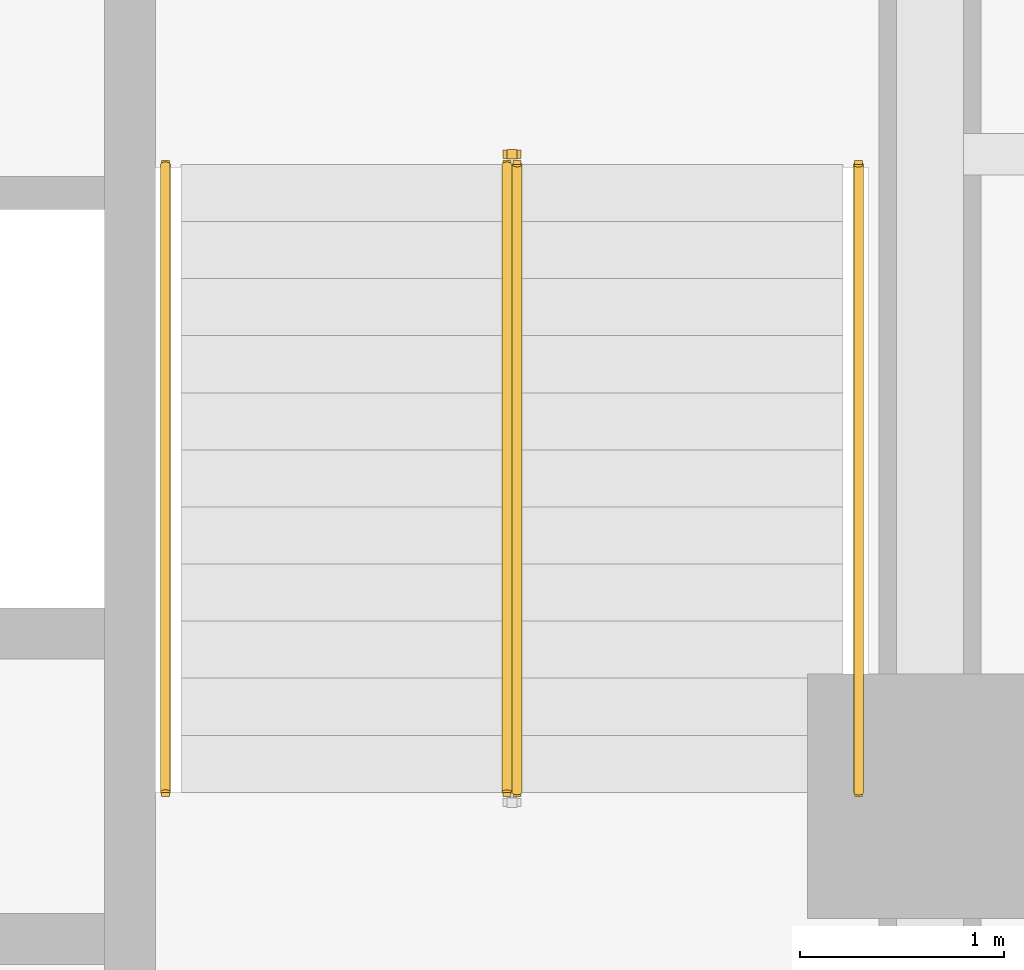
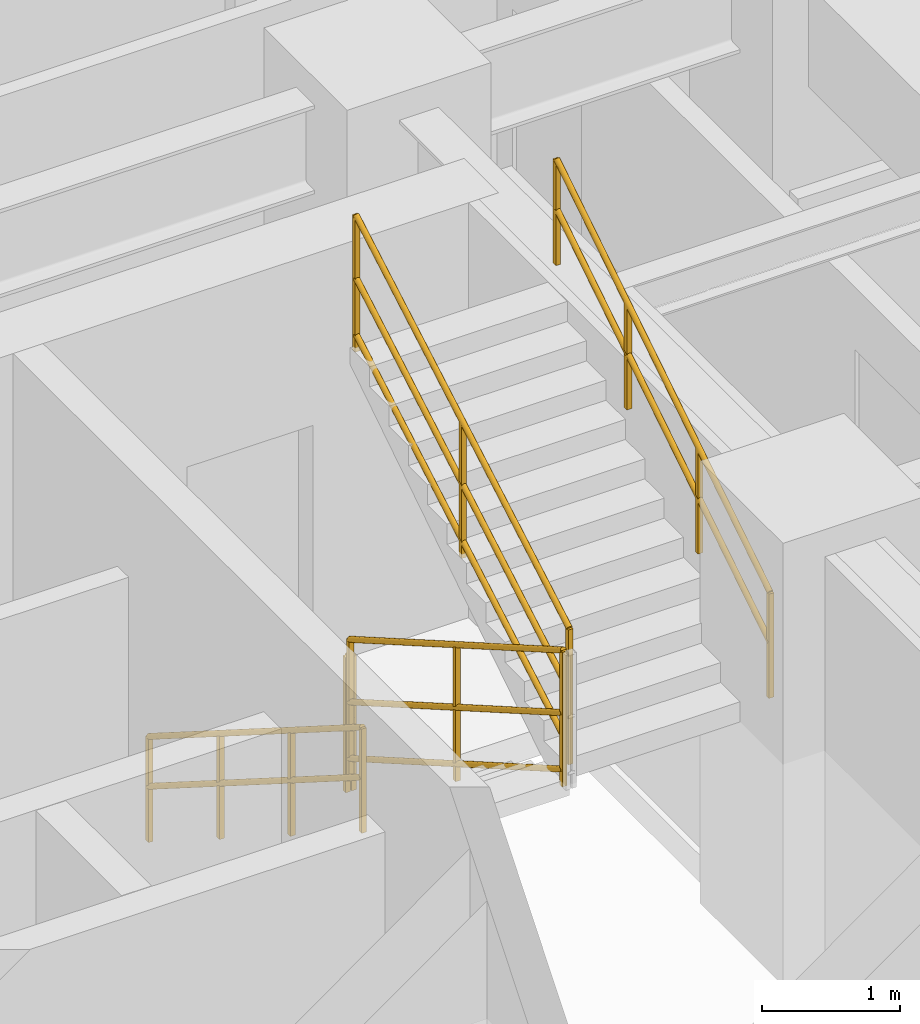
# One storey, part 7 of 8: 5 railings.
"""IFC4 building model written with IfcOpenShell, lengths in metres."""

from ifc_helpers import new_model, entity, si_unit, converted_unit, direction, frame, origin_with_axes, origin_2d_with_axis, place, context, subcontext, project, spatial, rectangle, circle, extrude, material, type_object, element, save


model = new_model("IFC4")

# Units and contexts
model_context = context("Model", 3, precision=1e-05, world=origin_with_axes(), true_north=direction((0.0, 1.0)))
body_context = subcontext(model_context, "Body", "Model", "MODEL_VIEW")
ifc_project = project(units=[si_unit("LENGTHUNIT", "METRE"), si_unit("AREAUNIT", "SQUARE_METRE"), si_unit("VOLUMEUNIT", "CUBIC_METRE"), converted_unit("PLANEANGLEUNIT", "DEGREE", entity("IfcPlaneAngleMeasure", 0.017453292519943295), si_unit("PLANEANGLEUNIT", "RADIAN"), dimensions=[0, 0, 0, 0, 0, 0, 0]), si_unit("MASSUNIT", "GRAM", prefix="KILO"), si_unit("THERMODYNAMICTEMPERATUREUNIT", "KELVIN")], contexts=[model_context])

# Site, building, storey
site_placement = place(None, origin_with_axes())
site = spatial("IfcSite", under=ifc_project, at=site_placement, CompositionType="ELEMENT")
building_placement = place(site_placement, origin_with_axes())
building = spatial("IfcBuilding", under=site, at=building_placement, Name="Varnlund Millrace Tower", CompositionType="ELEMENT")
storey_placement = place(building_placement, frame((0.0, 0.0, 116.4), z_axis=(0.0, 0.0, 1.0), x_axis=(1.0, 0.0, 0.0)))
storey = spatial("IfcBuildingStorey", under=building, at=storey_placement, Name="L28", CompositionType="ELEMENT", Elevation=116.4)

# Railings
ifc_material_1 = material(Name="Painted steel stair well balustrade guard", Category="steel")
railing_type_1 = type_object("IfcRailingType", Name="Type-StairGuard-1150", PredefinedType="GUARDRAIL", material=ifc_material_1)
railing_1_placement = place(storey_placement, frame((0.0, 0.0, -116.4), z_axis=(0.0, 0.0, 1.0), x_axis=(1.0, 0.0, 0.0)))
element("IfcRailing", 1, at=railing_1_placement, inside=storey, type_object=railing_type_1, Name="Type-StairGuard-1150", PredefinedType="GUARDRAIL", context=body_context, shape_type="SweptSolid", body=[
    extrude(circle(Radius=0.024, at=origin_2d_with_axis()), frame((45.975, 21.1, 117.727273), z_axis=(0.0, -0.866696, 0.498836), x_axis=(1.0, 0.0, 0.0)), (0.0, 0.0, 1.0), 3.553725),
    extrude(circle(Radius=0.024, at=origin_2d_with_axis()), frame((45.975, 21.1, 116.677273), z_axis=(0.0, -0.866696, 0.498836), x_axis=(1.0, 0.0, 0.0)), (0.0, 0.0, 1.0), 3.553725),
    extrude(circle(Radius=0.024, at=origin_2d_with_axis()), frame((45.975, 21.1, 117.175273), z_axis=(0.0, -0.866696, 0.498836), x_axis=(1.0, 0.0, 0.0)), (0.0, 0.0, 1.0), 3.553725),
    extrude(rectangle(XDim=0.04, YDim=0.04, at=origin_2d_with_axis()), frame((45.975, 21.1, 116.537273), z_axis=(0.0, 0.0, 1.0), x_axis=(1.0, 0.0, 0.0)), (0.0, 0.0, 1.0), 1.19),
    extrude(rectangle(XDim=0.04, YDim=0.04, at=origin_2d_with_axis()), frame((45.975, 19.56, 117.423636), z_axis=(0.0, 0.0, 1.0), x_axis=(1.0, 0.0, 0.0)), (0.0, 0.0, 1.0), 1.19),
    extrude(rectangle(XDim=0.04, YDim=0.04, at=origin_2d_with_axis()), frame((45.975, 18.02, 118.31), z_axis=(0.0, 0.0, 1.0), x_axis=(1.0, 0.0, 0.0)), (0.0, 0.0, 1.0), 1.19),
])
railing_2_placement = place(storey_placement, frame((0.0, 0.0, -116.4), z_axis=(0.0, 0.0, 1.0), x_axis=(1.0, 0.0, 0.0)))
element("IfcRailing", 2, at=railing_2_placement, inside=storey, type_object=railing_type_1, Name="Type-StairGuard-1150", PredefinedType="GUARDRAIL", context=body_context, shape_type="SweptSolid", body=[
    extrude(circle(Radius=0.024, at=origin_2d_with_axis()), frame((46.025, 18.02, 119.677273), z_axis=(0.0, 0.866696, 0.498836), x_axis=(-1.0, 0.0, 0.0)), (0.0, 0.0, 1.0), 3.553725),
    extrude(circle(Radius=0.024, at=origin_2d_with_axis()), frame((46.025, 18.02, 118.627273), z_axis=(0.0, 0.866696, 0.498836), x_axis=(-1.0, 0.0, 0.0)), (0.0, 0.0, 1.0), 3.553725),
    extrude(circle(Radius=0.024, at=origin_2d_with_axis()), frame((46.025, 18.02, 119.125273), z_axis=(0.0, 0.866696, 0.498836), x_axis=(-1.0, 0.0, 0.0)), (0.0, 0.0, 1.0), 3.553725),
    extrude(rectangle(XDim=0.04, YDim=0.04, at=origin_2d_with_axis()), frame((46.025, 18.02, 118.487273), z_axis=(0.0, 0.0, 1.0), x_axis=(1.0, 0.0, 0.0)), (0.0, 0.0, 1.0), 1.19),
    extrude(rectangle(XDim=0.04, YDim=0.04, at=origin_2d_with_axis()), frame((46.025, 19.56, 119.373636), z_axis=(0.0, 0.0, 1.0), x_axis=(1.0, 0.0, 0.0)), (0.0, 0.0, 1.0), 1.19),
    extrude(rectangle(XDim=0.04, YDim=0.04, at=origin_2d_with_axis()), frame((46.025, 21.1, 120.26), z_axis=(0.0, 0.0, 1.0), x_axis=(1.0, 0.0, 0.0)), (0.0, 0.0, 1.0), 1.19),
])
railing_3_placement = place(storey_placement, frame((0.0, 0.0, -116.4), z_axis=(0.0, 0.0, 1.0), x_axis=(1.0, 0.0, 0.0)))
element("IfcRailing", 3, at=railing_3_placement, inside=storey, type_object=railing_type_1, Name="Type-StairGuard-1150", PredefinedType="GUARDRAIL", context=body_context, shape_type="SweptSolid", body=[
    extrude(circle(Radius=0.024, at=origin_2d_with_axis()), frame((46.025, 21.15, 117.55), z_axis=(-1.0, 0.0, 0.0), x_axis=(0.0, -1.0, 0.0)), (0.0, 0.0, 1.0), 0.05),
    extrude(circle(Radius=0.024, at=origin_2d_with_axis()), frame((46.025, 21.15, 116.5), z_axis=(-1.0, 0.0, 0.0), x_axis=(0.0, -1.0, 0.0)), (0.0, 0.0, 1.0), 0.05),
    extrude(circle(Radius=0.024, at=origin_2d_with_axis()), frame((46.025, 21.15, 116.998), z_axis=(-1.0, 0.0, 0.0), x_axis=(0.0, -1.0, 0.0)), (0.0, 0.0, 1.0), 0.05),
    extrude(rectangle(XDim=0.04, YDim=0.04, at=origin_2d_with_axis()), frame((46.025, 21.15, 116.36), z_axis=(0.0, 0.0, 1.0), x_axis=(1.0, 0.0, 0.0)), (0.0, 0.0, 1.0), 1.19),
    extrude(rectangle(XDim=0.04, YDim=0.04, at=origin_2d_with_axis()), frame((45.975, 21.15, 116.36), z_axis=(0.0, 0.0, 1.0), x_axis=(1.0, 0.0, 0.0)), (0.0, 0.0, 1.0), 1.19),
])
ifc_material_2 = material(Name="Brushed architectural bronze stair handrail", Category="aluminium")
railing_type_2 = type_object("IfcRailingType", Name="Type-StairHandrail-900", PredefinedType="HANDRAIL", material=ifc_material_2)
railing_4_placement = place(storey_placement, frame((0.0, 0.0, -116.4), z_axis=(0.0, 0.0, 1.0), x_axis=(1.0, 0.0, 0.0)))
element("IfcRailing", 4, at=railing_4_placement, inside=storey, type_object=railing_type_2, Name="Type-StairHandrail-900", PredefinedType="HANDRAIL", context=body_context, shape_type="SweptSolid", body=[
    extrude(circle(Radius=0.024, at=origin_2d_with_axis()), frame((44.3, 21.1, 117.456995), z_axis=(0.0, -0.844902, 0.534922), x_axis=(1.0, 0.0, 0.0)), (0.0, 0.0, 1.0), 3.645394),
    extrude(circle(Radius=0.024, at=origin_2d_with_axis()), frame((44.3, 21.1, 117.017134), z_axis=(0.0, -0.844902, 0.534922), x_axis=(1.0, 0.0, 0.0)), (0.0, 0.0, 1.0), 3.645394),
    extrude(rectangle(XDim=0.04, YDim=0.04, at=origin_2d_with_axis()), frame((44.3, 21.1, 116.537273), z_axis=(0.0, 0.0, 1.0), x_axis=(1.0, 0.0, 0.0)), (0.0, 0.0, 1.0), 0.919722),
    extrude(rectangle(XDim=0.04, YDim=0.04, at=origin_2d_with_axis()), frame((44.3, 20.073333, 117.187273), z_axis=(0.0, 0.0, 1.0), x_axis=(1.0, 0.0, 0.0)), (0.0, 0.0, 1.0), 0.919722),
    extrude(rectangle(XDim=0.04, YDim=0.04, at=origin_2d_with_axis()), frame((44.3, 19.046667, 117.837273), z_axis=(0.0, 0.0, 1.0), x_axis=(1.0, 0.0, 0.0)), (0.0, 0.0, 1.0), 0.919722),
    extrude(rectangle(XDim=0.04, YDim=0.04, at=origin_2d_with_axis()), frame((44.3, 18.02, 118.487273), z_axis=(0.0, 0.0, 1.0), x_axis=(1.0, 0.0, 0.0)), (0.0, 0.0, 1.0), 0.919722),
])
railing_5_placement = place(storey_placement, frame((0.0, 0.0, -116.4), z_axis=(0.0, 0.0, 1.0), x_axis=(1.0, 0.0, 0.0)))
element("IfcRailing", 5, at=railing_5_placement, inside=storey, type_object=railing_type_2, Name="Type-StairHandrail-900", PredefinedType="HANDRAIL", context=body_context, shape_type="SweptSolid", body=[
    extrude(circle(Radius=0.024, at=origin_2d_with_axis()), frame((47.7, 18.02, 119.406995), z_axis=(0.0, 0.844902, 0.534922), x_axis=(-1.0, 0.0, 0.0)), (0.0, 0.0, 1.0), 3.645394),
    extrude(circle(Radius=0.024, at=origin_2d_with_axis()), frame((47.7, 18.02, 118.967134), z_axis=(0.0, 0.844902, 0.534922), x_axis=(-1.0, 0.0, 0.0)), (0.0, 0.0, 1.0), 3.645394),
    extrude(rectangle(XDim=0.04, YDim=0.04, at=origin_2d_with_axis()), frame((47.7, 18.02, 118.487273), z_axis=(0.0, 0.0, 1.0), x_axis=(1.0, 0.0, 0.0)), (0.0, 0.0, 1.0), 0.919722),
    extrude(rectangle(XDim=0.04, YDim=0.04, at=origin_2d_with_axis()), frame((47.7, 19.046667, 119.137273), z_axis=(0.0, 0.0, 1.0), x_axis=(1.0, 0.0, 0.0)), (0.0, 0.0, 1.0), 0.919722),
    extrude(rectangle(XDim=0.04, YDim=0.04, at=origin_2d_with_axis()), frame((47.7, 20.073333, 119.787273), z_axis=(0.0, 0.0, 1.0), x_axis=(1.0, 0.0, 0.0)), (0.0, 0.0, 1.0), 0.919722),
    extrude(rectangle(XDim=0.04, YDim=0.04, at=origin_2d_with_axis()), frame((47.7, 21.1, 120.437273), z_axis=(0.0, 0.0, 1.0), x_axis=(1.0, 0.0, 0.0)), (0.0, 0.0, 1.0), 0.919722),
])

save(model, "model.ifc")
